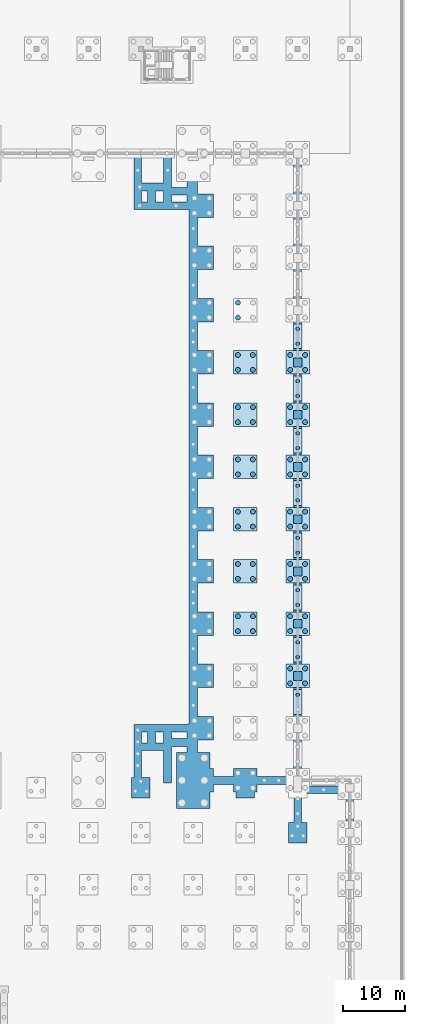
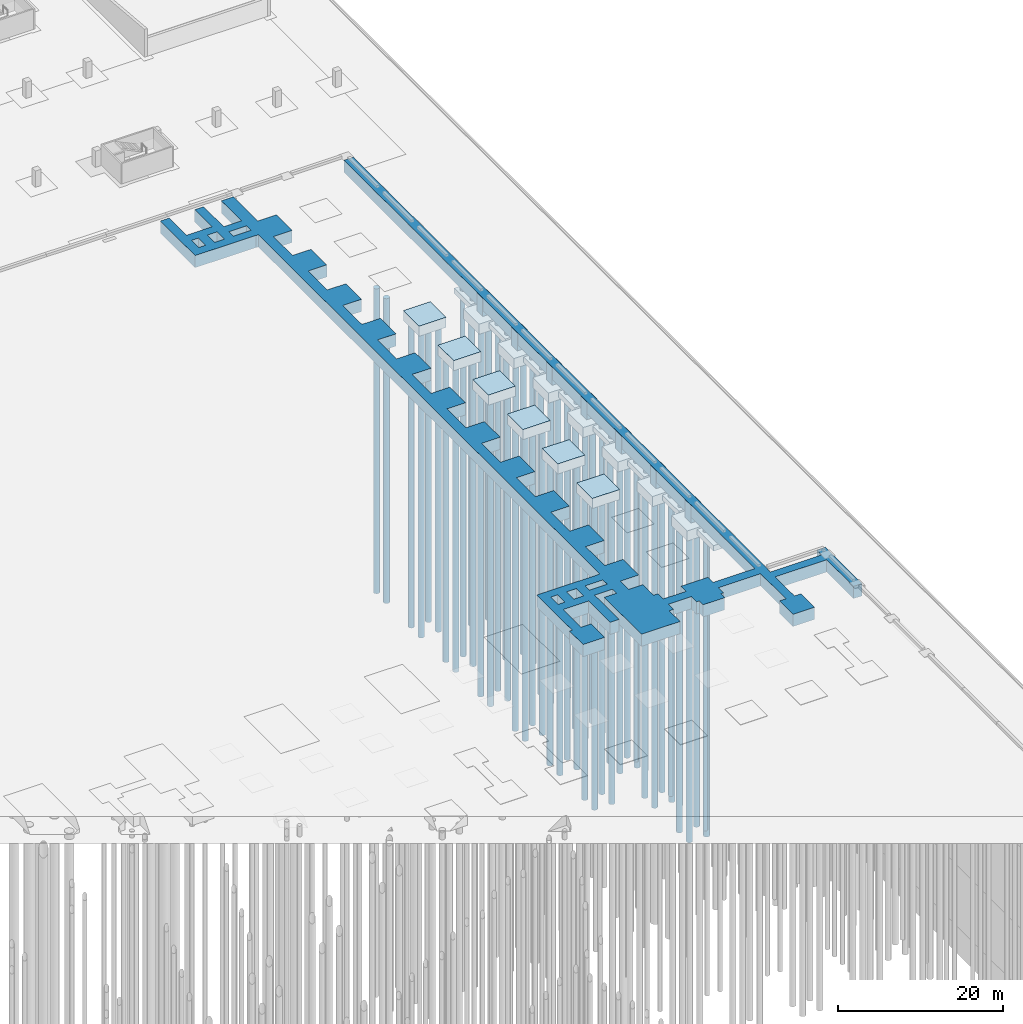
# One storey, part 20 of 67: 69 piles, 29 footings.
"""IFC4 building model written with IfcOpenShell, lengths in metres."""

from ifc_helpers import new_model, si_unit, direction, frame, origin, origin_2d, place, context, subcontext, project, spatial, polyline, circle, outline, extrude, material, material_profile, profile_set, type_object, element, save


model = new_model("IFC4")

# Units and contexts
model_context = context("Model", 3, precision=1e-05, world=origin(), true_north=direction((0.0, 1.0)))
body_context = subcontext(model_context, "Body", "Model", "MODEL_VIEW")
ifc_project = project(units=[si_unit("LENGTHUNIT", "METRE"), si_unit("AREAUNIT", "SQUARE_METRE"), si_unit("VOLUMEUNIT", "CUBIC_METRE"), si_unit("PLANEANGLEUNIT", "RADIAN"), si_unit("MASSUNIT", "GRAM", prefix="KILO")], contexts=[model_context])

# Site, building, storey
site_placement = place(None, origin())
site = spatial("IfcSite", under=ifc_project, at=site_placement, CompositionType="ELEMENT")
building_placement = place(site_placement, origin())
building = spatial("IfcBuilding", under=site, at=building_placement, Name="Rain Tree Exposition and Congress Centre", CompositionType="ELEMENT")
storey_placement = place(building_placement, frame((0.0, 0.0, -3.0)))
storey = spatial("IfcBuildingStorey", under=building, at=storey_placement, Name="B1", CompositionType="ELEMENT", Elevation=-3.0)

# Piles
ifc_material_1 = material(Name="Concrete C35/45", Category="concrete")
ifc_material_profile_1 = material_profile(ifc_material_1, circle(Radius=0.300048828125, at=origin_2d()), Name="D600")
ifc_profile_set_1 = profile_set([ifc_material_profile_1], Name="Concrete C35/45")
pile_type_1 = type_object("IfcPileType", Name="Bored pile D600", PredefinedType="BORED", material=ifc_profile_set_1)
for number, where, z_axis, x_axis, name in (
    (1, (260.39990234375, 114.583251953125, 0.92578125), (0.0, 0.0, -1.0), (1.0, 0.0, 0.0), "Bored pile 2109"),
    (2, (260.39990234375, 120.61669921875, 0.92578125), (0.0, 0.0, -1.0), (1.0, 0.0, 0.0), "Bored pile 2110"),
    (3, (260.39990234375, 122.9833984375, 0.92578125), (0.0, 0.0, -1.0), (1.0, 0.0, 0.0), "Bored pile 2111"),
    (4, (260.39990234375, 129.0166015625, 0.92578125), (0.0, 0.0, -1.0), (1.0, 0.0, 0.0), "Bored pile 2112"),
    (5, (260.39990234375, 131.38330078125, 0.92578125), (0.0, 0.0, -1.0), (1.0, 0.0, 0.0), "Bored pile 2113"),
    (6, (260.39990234375, 137.416748046875, 0.92578125), (0.0, 0.0, -1.0), (1.0, 0.0, 0.0), "Bored pile 2114"),
    (7, (260.39990234375, 139.783203125, 0.92578125), (0.0, 0.0, -1.0), (1.0, 0.0, 0.0), "Bored pile 2115"),
    (8, (260.39990234375, 145.816650390625, 0.92578125), (0.0, 0.0, -1.0), (1.0, 0.0, 0.0), "Bored pile 2116"),
    (9, (260.39990234375, 148.183349609375, 0.92578125), (0.0, 0.0, -1.0), (1.0, 0.0, 0.0), "Bored pile 2117"),
    (10, (260.39990234375, 154.216796875, 0.92578125), (0.0, 0.0, -1.0), (1.0, 0.0, 0.0), "Bored pile 2130"),
    (11, (260.39990234375, 156.583251953125, 0.92578125), (0.0, 0.0, -1.0), (1.0, 0.0, 0.0), "Bored pile 2131"),
    (12, (260.39990234375, 162.61669921875, 0.92578125), (0.0, 0.0, -1.0), (1.0, 0.0, 0.0), "Bored pile 2132"),
    (13, (260.39990234375, 164.9833984375, 0.92578125), (0.0, 0.0, -1.0), (1.0, 0.0, 0.0), "Bored pile 2133"),
    (14, (260.39990234375, 171.0166015625, 0.92578125), (0.0, 0.0, -1.0), (1.0, 0.0, 0.0), "Bored pile 2134"),
    (15, (260.39990234375, 173.38330078125, 0.92578125), (0.0, 0.0, -1.0), (1.0, 0.0, 0.0), "Bored pile 2135"),
):
    element("IfcPile", number, at=place(storey_placement, frame(where, z_axis=z_axis, x_axis=x_axis)), inside=storey, type_object=pile_type_1, Name=name, PredefinedType="BORED", context=body_context, shape_type="SweptSolid", body=[
        extrude(circle(Radius=0.300048828125, at=origin_2d()), origin(), (0.0, 0.0, 1.0), 45.074951171875),
    ])
ifc_material_2 = material(Name="Concrete C35/45", Category="concrete")
ifc_material_profile_2 = material_profile(ifc_material_2, circle(Radius=0.39990234375, at=origin_2d()), Name="D800")
ifc_profile_set_2 = profile_set([ifc_material_profile_2], Name="Concrete C35/45")
pile_type_2 = type_object("IfcPileType", Name="Bored pile D800", PredefinedType="BORED", material=ifc_profile_set_2)
for number, where, z_axis, x_axis, name in (
    (16, (259.199951171875, 116.39990234375, -1.425048828125), (0.0, 0.0, -1.0), (1.0, 0.0, 0.0), "Bored pile 1338"),
    (17, (261.60009765625, 116.39990234375, -1.425048828125), (0.0, 0.0, -1.0), (1.0, 0.0, 0.0), "Bored pile 1339"),
    (18, (259.199951171875, 118.800048828125, -1.425048828125), (0.0, 0.0, -1.0), (1.0, 0.0, 0.0), "Bored pile 1340"),
    (19, (261.60009765625, 118.800048828125, -1.425048828125), (0.0, 0.0, -1.0), (1.0, 0.0, 0.0), "Bored pile 1341"),
    (20, (259.199951171875, 124.800048828125, -1.425048828125), (0.0, 0.0, -1.0), (1.0, 0.0, 0.0), "Bored pile 1342"),
    (21, (261.60009765625, 124.800048828125, -1.425048828125), (0.0, 0.0, -1.0), (1.0, 0.0, 0.0), "Bored pile 1343"),
    (22, (259.199951171875, 127.199951171875, -1.425048828125), (0.0, 0.0, -1.0), (1.0, 0.0, 0.0), "Bored pile 1344"),
    (23, (261.60009765625, 127.199951171875, -1.425048828125), (0.0, 0.0, -1.0), (1.0, 0.0, 0.0), "Bored pile 1345"),
    (24, (259.199951171875, 133.199951171875, -1.425048828125), (0.0, 0.0, -1.0), (1.0, 0.0, 0.0), "Bored pile 1346"),
    (25, (261.60009765625, 133.199951171875, -1.425048828125), (0.0, 0.0, -1.0), (1.0, 0.0, 0.0), "Bored pile 1347"),
    (26, (259.199951171875, 135.60009765625, -1.425048828125), (0.0, 0.0, -1.0), (1.0, 0.0, 0.0), "Bored pile 1348"),
    (27, (261.60009765625, 135.60009765625, -1.425048828125), (0.0, 0.0, -1.0), (1.0, 0.0, 0.0), "Bored pile 1349"),
    (28, (259.199951171875, 141.60009765625, -1.425048828125), (0.0, 0.0, -1.0), (1.0, 0.0, 0.0), "Bored pile 1350"),
    (29, (261.60009765625, 141.60009765625, -1.425048828125), (0.0, 0.0, -1.0), (1.0, 0.0, 0.0), "Bored pile 1351"),
    (30, (259.199951171875, 144.0, -1.425048828125), (0.0, 0.0, -1.0), (1.0, 0.0, 0.0), "Bored pile 1352"),
    (31, (261.60009765625, 144.0, -1.425048828125), (0.0, 0.0, -1.0), (1.0, 0.0, 0.0), "Bored pile 1353"),
    (32, (259.199951171875, 150.0, -1.425048828125), (0.0, 0.0, -1.0), (1.0, 0.0, 0.0), "Bored pile 1354"),
    (33, (261.60009765625, 150.0, -1.425048828125), (0.0, 0.0, -1.0), (1.0, 0.0, 0.0), "Bored pile 1355"),
    (34, (259.199951171875, 152.39990234375, -1.425048828125), (0.0, 0.0, -1.0), (1.0, 0.0, 0.0), "Bored pile 1356"),
    (35, (261.60009765625, 152.39990234375, -1.425048828125), (0.0, 0.0, -1.0), (1.0, 0.0, 0.0), "Bored pile 1357"),
    (36, (259.199951171875, 158.39990234375, -1.425048828125), (0.0, 0.0, -1.0), (1.0, 0.0, 0.0), "Bored pile 1358"),
    (37, (261.60009765625, 158.39990234375, -1.425048828125), (0.0, 0.0, -1.0), (1.0, 0.0, 0.0), "Bored pile 1359"),
    (38, (259.199951171875, 160.800048828125, -1.425048828125), (0.0, 0.0, -1.0), (1.0, 0.0, 0.0), "Bored pile 1360"),
    (39, (261.60009765625, 160.800048828125, -1.425048828125), (0.0, 0.0, -1.0), (1.0, 0.0, 0.0), "Bored pile 1361"),
    (40, (259.199951171875, 166.800048828125, -1.425048828125), (0.0, 0.0, -1.0), (1.0, 0.0, 0.0), "Bored pile 1362"),
    (41, (261.60009765625, 166.800048828125, -1.425048828125), (0.0, 0.0, -1.0), (1.0, 0.0, 0.0), "Bored pile 1363"),
    (42, (259.199951171875, 169.199951171875, -1.425048828125), (0.0, 0.0, -1.0), (1.0, 0.0, 0.0), "Bored pile 1364"),
    (43, (261.60009765625, 169.199951171875, -1.425048828125), (0.0, 0.0, -1.0), (1.0, 0.0, 0.0), "Bored pile 1365"),
    (44, (250.800048828125, 124.800048828125, 1.22509765625), (0.0, 0.0, -1.0), (1.0, 0.0, 0.0), "Bored pile 1577"),
    (45, (253.199951171875, 124.800048828125, 1.22509765625), (0.0, 0.0, -1.0), (1.0, 0.0, 0.0), "Bored pile 1578"),
    (46, (250.800048828125, 127.199951171875, 1.22509765625), (0.0, 0.0, -1.0), (1.0, 0.0, 0.0), "Bored pile 1579"),
    (47, (253.199951171875, 127.199951171875, 1.22509765625), (0.0, 0.0, -1.0), (1.0, 0.0, 0.0), "Bored pile 1580"),
    (48, (250.800048828125, 133.199951171875, 1.22509765625), (0.0, 0.0, -1.0), (1.0, 0.0, 0.0), "Bored pile 1581"),
    (49, (253.199951171875, 133.199951171875, 1.22509765625), (0.0, 0.0, -1.0), (1.0, 0.0, 0.0), "Bored pile 1582"),
    (50, (250.800048828125, 135.60009765625, 1.22509765625), (0.0, 0.0, -1.0), (1.0, 0.0, 0.0), "Bored pile 1583"),
    (51, (253.199951171875, 135.60009765625, 1.22509765625), (0.0, 0.0, -1.0), (1.0, 0.0, 0.0), "Bored pile 1584"),
    (52, (250.800048828125, 141.60009765625, 1.22509765625), (0.0, 0.0, -1.0), (1.0, 0.0, 0.0), "Bored pile 1585"),
    (53, (253.199951171875, 141.60009765625, 1.22509765625), (0.0, 0.0, -1.0), (1.0, 0.0, 0.0), "Bored pile 1586"),
    (54, (250.800048828125, 144.0, 1.22509765625), (0.0, 0.0, -1.0), (1.0, 0.0, 0.0), "Bored pile 1587"),
    (55, (253.199951171875, 144.0, 1.22509765625), (0.0, 0.0, -1.0), (1.0, 0.0, 0.0), "Bored pile 1588"),
    (56, (250.800048828125, 150.0, 1.22509765625), (0.0, 0.0, -1.0), (1.0, 0.0, 0.0), "Bored pile 1589"),
    (57, (253.199951171875, 150.0, 1.22509765625), (0.0, 0.0, -1.0), (1.0, 0.0, 0.0), "Bored pile 1590"),
    (58, (250.800048828125, 152.39990234375, 1.22509765625), (0.0, 0.0, -1.0), (1.0, 0.0, 0.0), "Bored pile 1591"),
    (59, (253.199951171875, 152.39990234375, 1.22509765625), (0.0, 0.0, -1.0), (1.0, 0.0, 0.0), "Bored pile 1592"),
    (60, (250.800048828125, 158.39990234375, 1.22509765625), (0.0, 0.0, -1.0), (1.0, 0.0, 0.0), "Bored pile 1593"),
    (61, (253.199951171875, 158.39990234375, 1.22509765625), (0.0, 0.0, -1.0), (1.0, 0.0, 0.0), "Bored pile 1594"),
    (62, (250.800048828125, 160.800048828125, 1.22509765625), (0.0, 0.0, -1.0), (1.0, 0.0, 0.0), "Bored pile 1595"),
    (63, (253.199951171875, 160.800048828125, 1.22509765625), (0.0, 0.0, -1.0), (1.0, 0.0, 0.0), "Bored pile 1596"),
    (64, (250.800048828125, 166.800048828125, 1.22509765625), (0.0, 0.0, -1.0), (1.0, 0.0, 0.0), "Bored pile 1597"),
    (65, (253.199951171875, 166.800048828125, 1.22509765625), (0.0, 0.0, -1.0), (1.0, 0.0, 0.0), "Bored pile 1598"),
    (66, (250.800048828125, 169.199951171875, 1.22509765625), (0.0, 0.0, -1.0), (1.0, 0.0, 0.0), "Bored pile 1599"),
    (67, (253.199951171875, 169.199951171875, 1.22509765625), (0.0, 0.0, -1.0), (1.0, 0.0, 0.0), "Bored pile 1600"),
    (68, (250.800048828125, 175.199951171875, 1.22509765625), (0.0, 0.0, -1.0), (1.0, 0.0, 0.0), "Bored pile 1601"),
    (69, (250.800048828125, 177.60009765625, 1.22509765625), (0.0, 0.0, -1.0), (1.0, 0.0, 0.0), "Bored pile 1603"),
):
    element("IfcPile", number, at=place(storey_placement, frame(where, z_axis=z_axis, x_axis=x_axis)), inside=storey, type_object=pile_type_2, Name=name, PredefinedType="BORED", context=body_context, shape_type="SweptSolid", body=[
        extrude(circle(Radius=0.39990234375, at=origin_2d()), origin(), (0.0, 0.0, 1.0), 45.074951171875),
    ])

# Footings
ifc_material_3 = material(Name="Concrete C35/45", Category="concrete")
footing_type_1 = type_object("IfcFootingType", Name="Pier cap 2650 thick", PredefinedType="PILE_CAP", material=ifc_material_3)
footing_1_placement = place(storey_placement, origin())
element("IfcFooting", 70, at=footing_1_placement, inside=storey, type_object=footing_type_1, Name="Pier cap 005", PredefinedType="PILE_CAP", context=body_context, shape_type="SweptSolid", body=[
    extrude(outline(polyline([(259.699951171875, 118.300048828125), (259.699951171875, 116.89990234375), (261.10009765625, 116.89990234375), (261.10009765625, 118.300048828125), (259.699951171875, 118.300048828125)])), origin(), (0.0, 0.0, 1.0), 2.64990234375),
])
footing_2_placement = place(storey_placement, origin())
element("IfcFooting", 71, at=footing_2_placement, inside=storey, type_object=footing_type_1, Name="Pier cap 006", PredefinedType="PILE_CAP", context=body_context, shape_type="SweptSolid", body=[
    extrude(outline(polyline([(259.699951171875, 126.699951171875), (259.699951171875, 125.300048828125), (261.10009765625, 125.300048828125), (261.10009765625, 126.699951171875), (259.699951171875, 126.699951171875)])), origin(), (0.0, 0.0, 1.0), 2.64990234375),
])
footing_3_placement = place(storey_placement, origin())
element("IfcFooting", 72, at=footing_3_placement, inside=storey, type_object=footing_type_1, Name="Pier cap 007", PredefinedType="PILE_CAP", context=body_context, shape_type="SweptSolid", body=[
    extrude(outline(polyline([(259.699951171875, 135.10009765625), (259.699951171875, 133.699951171875), (261.10009765625, 133.699951171875), (261.10009765625, 135.10009765625), (259.699951171875, 135.10009765625)])), origin(), (0.0, 0.0, 1.0), 2.64990234375),
])
footing_4_placement = place(storey_placement, origin())
element("IfcFooting", 73, at=footing_4_placement, inside=storey, type_object=footing_type_1, Name="Pier cap 008", PredefinedType="PILE_CAP", context=body_context, shape_type="SweptSolid", body=[
    extrude(outline(polyline([(259.699951171875, 143.5), (259.699951171875, 142.10009765625), (261.10009765625, 142.10009765625), (261.10009765625, 143.5), (259.699951171875, 143.5)])), origin(), (0.0, 0.0, 1.0), 2.64990234375),
])
footing_5_placement = place(storey_placement, origin())
element("IfcFooting", 74, at=footing_5_placement, inside=storey, type_object=footing_type_1, Name="Pier cap 009", PredefinedType="PILE_CAP", context=body_context, shape_type="SweptSolid", body=[
    extrude(outline(polyline([(259.699951171875, 151.89990234375), (259.699951171875, 150.5), (261.10009765625, 150.5), (261.10009765625, 151.89990234375), (259.699951171875, 151.89990234375)])), origin(), (0.0, 0.0, 1.0), 2.64990234375),
])
footing_6_placement = place(storey_placement, origin())
element("IfcFooting", 75, at=footing_6_placement, inside=storey, type_object=footing_type_1, Name="Pier cap 010", PredefinedType="PILE_CAP", context=body_context, shape_type="SweptSolid", body=[
    extrude(outline(polyline([(259.699951171875, 160.300048828125), (259.699951171875, 158.89990234375), (261.10009765625, 158.89990234375), (261.10009765625, 160.300048828125), (259.699951171875, 160.300048828125)])), origin(), (0.0, 0.0, 1.0), 2.64990234375),
])
footing_7_placement = place(storey_placement, origin())
element("IfcFooting", 76, at=footing_7_placement, inside=storey, type_object=footing_type_1, Name="Pier cap 011", PredefinedType="PILE_CAP", context=body_context, shape_type="SweptSolid", body=[
    extrude(outline(polyline([(259.699951171875, 168.699951171875), (259.699951171875, 167.300048828125), (261.10009765625, 167.300048828125), (261.10009765625, 168.699951171875), (259.699951171875, 168.699951171875)])), origin(), (0.0, 0.0, 1.0), 2.64990234375),
])
ifc_material_4 = material(Name="Concrete C35/45", Category="concrete")
footing_type_2 = type_object("IfcFootingType", Name="Pile cap 1500 thick", PredefinedType="PILE_CAP", material=ifc_material_4)
footing_8_placement = place(storey_placement, frame((0.0, 0.0, -1.5)))
element("IfcFooting", 77, at=footing_8_placement, inside=storey, type_object=footing_type_2, Name="Pile cap 264", PredefinedType="PILE_CAP", context=body_context, shape_type="SweptSolid", body=[
    extrude(outline(polyline([(262.300048828125, 115.699951171875), (262.300048828125, 119.5), (258.5, 119.5), (258.5, 115.699951171875), (262.300048828125, 115.699951171875)])), origin(), (0.0, 0.0, 1.0), 1.5),
])
footing_9_placement = place(storey_placement, frame((0.0, 0.0, -1.5)))
element("IfcFooting", 78, at=footing_9_placement, inside=storey, type_object=footing_type_2, Name="Pile cap 265", PredefinedType="PILE_CAP", context=body_context, shape_type="SweptSolid", body=[
    extrude(outline(polyline([(262.300048828125, 124.10009765625), (262.300048828125, 127.89990234375), (258.5, 127.89990234375), (258.5, 124.10009765625), (262.300048828125, 124.10009765625)])), origin(), (0.0, 0.0, 1.0), 1.5),
])
footing_10_placement = place(storey_placement, frame((0.0, 0.0, -1.5)))
element("IfcFooting", 79, at=footing_10_placement, inside=storey, type_object=footing_type_2, Name="Pile cap 266", PredefinedType="PILE_CAP", context=body_context, shape_type="SweptSolid", body=[
    extrude(outline(polyline([(262.300048828125, 132.5), (262.300048828125, 136.300048828125), (258.5, 136.300048828125), (258.5, 132.5), (262.300048828125, 132.5)])), origin(), (0.0, 0.0, 1.0), 1.5),
])
footing_11_placement = place(storey_placement, frame((0.0, 0.0, -1.5)))
element("IfcFooting", 80, at=footing_11_placement, inside=storey, type_object=footing_type_2, Name="Pile cap 267", PredefinedType="PILE_CAP", context=body_context, shape_type="SweptSolid", body=[
    extrude(outline(polyline([(262.300048828125, 140.89990234375), (262.300048828125, 144.699951171875), (258.5, 144.699951171875), (258.5, 140.89990234375), (262.300048828125, 140.89990234375)])), origin(), (0.0, 0.0, 1.0), 1.5),
])
footing_12_placement = place(storey_placement, frame((0.0, 0.0, -1.5)))
element("IfcFooting", 81, at=footing_12_placement, inside=storey, type_object=footing_type_2, Name="Pile cap 268", PredefinedType="PILE_CAP", context=body_context, shape_type="SweptSolid", body=[
    extrude(outline(polyline([(262.300048828125, 149.300048828125), (262.300048828125, 153.10009765625), (258.5, 153.10009765625), (258.5, 149.300048828125), (262.300048828125, 149.300048828125)])), origin(), (0.0, 0.0, 1.0), 1.5),
])
footing_13_placement = place(storey_placement, frame((0.0, 0.0, -1.5)))
element("IfcFooting", 82, at=footing_13_placement, inside=storey, type_object=footing_type_2, Name="Pile cap 269", PredefinedType="PILE_CAP", context=body_context, shape_type="SweptSolid", body=[
    extrude(outline(polyline([(262.300048828125, 157.699951171875), (262.300048828125, 161.5), (258.5, 161.5), (258.5, 157.699951171875), (262.300048828125, 157.699951171875)])), origin(), (0.0, 0.0, 1.0), 1.5),
])
footing_14_placement = place(storey_placement, frame((0.0, 0.0, -1.5)))
element("IfcFooting", 83, at=footing_14_placement, inside=storey, type_object=footing_type_2, Name="Pile cap 270", PredefinedType="PILE_CAP", context=body_context, shape_type="SweptSolid", body=[
    extrude(outline(polyline([(262.300048828125, 166.10009765625), (262.300048828125, 169.89990234375), (258.5, 169.89990234375), (258.5, 166.10009765625), (262.300048828125, 166.10009765625)])), origin(), (0.0, 0.0, 1.0), 1.5),
])
footing_15_placement = place(storey_placement, frame((0.0, 0.0, 1.14990234375)))
element("IfcFooting", 84, at=footing_15_placement, inside=storey, type_object=footing_type_2, Name="Pile cap 300", PredefinedType="PILE_CAP", context=body_context, shape_type="SweptSolid", body=[
    extrude(outline(polyline([(253.89990234375, 124.10009765625), (253.89990234375, 127.89990234375), (250.10009765625, 127.89990234375), (250.10009765625, 124.10009765625), (253.89990234375, 124.10009765625)])), origin(), (0.0, 0.0, 1.0), 1.5),
])
footing_16_placement = place(storey_placement, frame((0.0, 0.0, 1.14990234375)))
element("IfcFooting", 85, at=footing_16_placement, inside=storey, type_object=footing_type_2, Name="Pile cap 301", PredefinedType="PILE_CAP", context=body_context, shape_type="SweptSolid", body=[
    extrude(outline(polyline([(253.89990234375, 132.5), (253.89990234375, 136.300048828125), (250.10009765625, 136.300048828125), (250.10009765625, 132.5), (253.89990234375, 132.5)])), origin(), (0.0, 0.0, 1.0), 1.5),
])
footing_17_placement = place(storey_placement, frame((0.0, 0.0, 1.14990234375)))
element("IfcFooting", 86, at=footing_17_placement, inside=storey, type_object=footing_type_2, Name="Pile cap 302", PredefinedType="PILE_CAP", context=body_context, shape_type="SweptSolid", body=[
    extrude(outline(polyline([(253.89990234375, 140.89990234375), (253.89990234375, 144.699951171875), (250.10009765625, 144.699951171875), (250.10009765625, 140.89990234375), (253.89990234375, 140.89990234375)])), origin(), (0.0, 0.0, 1.0), 1.5),
])
footing_18_placement = place(storey_placement, frame((0.0, 0.0, 1.14990234375)))
element("IfcFooting", 87, at=footing_18_placement, inside=storey, type_object=footing_type_2, Name="Pile cap 303", PredefinedType="PILE_CAP", context=body_context, shape_type="SweptSolid", body=[
    extrude(outline(polyline([(253.89990234375, 149.300048828125), (253.89990234375, 153.10009765625), (250.10009765625, 153.10009765625), (250.10009765625, 149.300048828125), (253.89990234375, 149.300048828125)])), origin(), (0.0, 0.0, 1.0), 1.5),
])
footing_19_placement = place(storey_placement, frame((0.0, 0.0, 1.14990234375)))
element("IfcFooting", 88, at=footing_19_placement, inside=storey, type_object=footing_type_2, Name="Pile cap 304", PredefinedType="PILE_CAP", context=body_context, shape_type="SweptSolid", body=[
    extrude(outline(polyline([(253.89990234375, 157.699951171875), (253.89990234375, 161.5), (250.10009765625, 161.5), (250.10009765625, 157.699951171875), (253.89990234375, 157.699951171875)])), origin(), (0.0, 0.0, 1.0), 1.5),
])
footing_20_placement = place(storey_placement, frame((0.0, 0.0, 1.14990234375)))
element("IfcFooting", 89, at=footing_20_placement, inside=storey, type_object=footing_type_2, Name="Pile cap 305", PredefinedType="PILE_CAP", context=body_context, shape_type="SweptSolid", body=[
    extrude(outline(polyline([(253.89990234375, 166.10009765625), (253.89990234375, 169.89990234375), (250.10009765625, 169.89990234375), (250.10009765625, 166.10009765625), (253.89990234375, 166.10009765625)])), origin(), (0.0, 0.0, 1.0), 1.5),
])
ifc_material_5 = material(Name="Concrete C35/45", Category="concrete")
footing_type_3 = type_object("IfcFootingType", Name="Strip footing 1800 thick", PredefinedType="STRIP_FOOTING", material=ifc_material_5)
footing_21_placement = place(storey_placement, frame((0.0, 0.0, 0.8505859375)))
element("IfcFooting", 90, at=footing_21_placement, inside=storey, type_object=footing_type_3, Name="Strip footing 089", PredefinedType="STRIP_FOOTING", context=body_context, shape_type="SweptSolid", body=[
    extrude(outline(polyline([(234.074951171875, 106.824951171875), (234.074951171875, 105.574951171875), (234.074951171875, 101.2392578125), (233.699951171875, 101.2392578125), (233.699951171875, 97.960693359375), (236.699951171875, 97.960693359375), (236.699951171875, 101.2392578125), (235.324951171875, 101.2392578125), (235.324951171875, 105.574951171875), (236.27490234375, 105.574951171875), (237.52490234375, 105.574951171875), (238.875, 105.574951171875), (238.875, 100.375), (240.125, 100.375), (240.125, 101.0), (240.125, 105.574951171875), (240.125, 106.27490234375), (242.60009765625, 106.27490234375), (242.60009765625, 105.300048828125), (240.89990234375, 105.300048828125), (240.89990234375, 96.300048828125), (246.300048828125, 96.300048828125), (246.300048828125, 98.89990234375), (246.89990234375, 98.89990234375), (246.89990234375, 100.14990234375), (250.10009765625, 100.14990234375), (250.10009765625, 98.89990234375), (250.5, 98.89990234375), (250.5, 97.960693359375), (253.5, 97.960693359375), (253.5, 98.89990234375), (253.89990234375, 98.89990234375), (253.89990234375, 100.14990234375), (259.800048828125, 100.14990234375), (259.800048828125, 94.039306640625), (258.89990234375, 94.039306640625), (258.89990234375, 90.7607421875), (261.89990234375, 90.7607421875), (261.89990234375, 94.039306640625), (261.0, 94.039306640625), (261.0, 98.699951171875), (268.199951171875, 98.699951171875), (268.199951171875, 92.199951171875), (269.39990234375, 92.199951171875), (269.39990234375, 92.800048828125), (269.39990234375, 101.10009765625), (268.199951171875, 101.10009765625), (268.199951171875, 100.5), (268.199951171875, 99.89990234375), (261.0, 99.89990234375), (261.0, 100.5), (261.050048828125, 100.5), (261.050048828125, 101.14990234375), (261.050048828125, 108.89990234375), (261.050048828125, 109.5), (261.050048828125, 109.550048828125), (261.050048828125, 117.300048828125), (261.050048828125, 117.89990234375), (261.050048828125, 117.949951171875), (261.050048828125, 125.699951171875), (261.050048828125, 126.300048828125), (261.050048828125, 126.35009765625), (261.050048828125, 134.10009765625), (261.050048828125, 134.699951171875), (261.050048828125, 134.75), (261.050048828125, 142.5), (261.050048828125, 143.10009765625), (261.050048828125, 143.14990234375), (261.050048828125, 150.89990234375), (261.050048828125, 151.5), (261.050048828125, 151.550048828125), (261.050048828125, 159.300048828125), (261.050048828125, 159.89990234375), (261.050048828125, 159.949951171875), (261.050048828125, 167.699951171875), (261.050048828125, 168.300048828125), (261.050048828125, 168.35009765625), (261.050048828125, 176.10009765625), (261.050048828125, 176.699951171875), (261.050048828125, 176.75), (261.050048828125, 184.5), (261.050048828125, 185.10009765625), (261.050048828125, 185.14990234375), (261.050048828125, 192.89990234375), (261.050048828125, 193.5), (261.050048828125, 193.550048828125), (261.050048828125, 201.0), (259.75, 201.0), (259.75, 193.5), (259.75, 192.89990234375), (259.75, 192.85009765625), (259.75, 185.10009765625), (259.75, 184.5), (259.75, 184.449951171875), (259.75, 176.699951171875), (259.75, 176.10009765625), (259.75, 176.050048828125), (259.75, 168.300048828125), (259.75, 167.699951171875), (259.75, 167.64990234375), (259.75, 159.89990234375), (259.75, 159.300048828125), (259.75, 159.25), (259.75, 151.5), (259.75, 150.89990234375), (259.75, 150.85009765625), (259.75, 143.10009765625), (259.75, 142.5), (259.75, 142.449951171875), (259.75, 134.699951171875), (259.75, 134.10009765625), (259.75, 134.050048828125), (259.75, 126.300048828125), (259.75, 125.699951171875), (259.75, 125.64990234375), (259.75, 117.89990234375), (259.75, 117.300048828125), (259.75, 117.25), (259.75, 109.5), (259.75, 108.89990234375), (259.75, 108.85009765625), (259.75, 101.449951171875), (253.89990234375, 101.449951171875), (253.89990234375, 102.699951171875), (250.10009765625, 102.699951171875), (250.10009765625, 101.449951171875), (246.89990234375, 101.449951171875), (246.89990234375, 102.699951171875), (246.300048828125, 102.699951171875), (246.300048828125, 105.300048828125), (244.300048828125, 105.300048828125), (244.300048828125, 107.300048828125), (246.89990234375, 107.300048828125), (246.89990234375, 111.10009765625), (244.300048828125, 111.10009765625), (244.300048828125, 115.699951171875), (246.89990234375, 115.699951171875), (246.89990234375, 119.5), (244.300048828125, 119.5), (244.300048828125, 124.10009765625), (246.89990234375, 124.10009765625), (246.89990234375, 127.89990234375), (244.300048828125, 127.89990234375), (244.300048828125, 132.5), (246.89990234375, 132.5), (246.89990234375, 136.300048828125), (244.300048828125, 136.300048828125), (244.300048828125, 140.89990234375), (246.89990234375, 140.89990234375), (246.89990234375, 144.699951171875), (244.300048828125, 144.699951171875), (244.300048828125, 149.300048828125), (246.89990234375, 149.300048828125), (246.89990234375, 153.10009765625), (244.300048828125, 153.10009765625), (244.300048828125, 157.699951171875), (246.89990234375, 157.699951171875), (246.89990234375, 161.5), (244.300048828125, 161.5), (244.300048828125, 166.10009765625), (246.89990234375, 166.10009765625), (246.89990234375, 169.89990234375), (244.300048828125, 169.89990234375), (244.300048828125, 174.5), (246.89990234375, 174.5), (246.89990234375, 178.300048828125), (244.300048828125, 178.300048828125), (244.300048828125, 182.89990234375), (246.89990234375, 182.89990234375), (246.89990234375, 186.699951171875), (244.300048828125, 186.699951171875), (244.300048828125, 191.300048828125), (246.89990234375, 191.300048828125), (246.89990234375, 195.10009765625), (244.300048828125, 195.10009765625), (244.300048828125, 201.0), (243.89990234375, 201.0), (242.89990234375, 201.0), (242.60009765625, 201.0), (242.60009765625, 200.800048828125), (242.60009765625, 196.125), (240.125, 196.125), (240.125, 196.824951171875), (240.125, 201.0), (238.875, 201.0), (238.875, 196.824951171875), (237.52490234375, 196.824951171875), (236.27490234375, 196.824951171875), (235.324951171875, 196.824951171875), (235.324951171875, 201.0), (234.074951171875, 201.0), (234.074951171875, 196.824951171875), (234.074951171875, 195.574951171875), (234.074951171875, 193.824951171875), (234.074951171875, 192.574951171875), (234.699951171875, 192.574951171875), (235.324951171875, 192.574951171875), (236.27490234375, 192.574951171875), (237.52490234375, 192.574951171875), (238.875, 192.574951171875), (240.125, 192.574951171875), (242.60009765625, 192.574951171875), (242.60009765625, 192.550048828125), (242.89990234375, 192.550048828125), (242.89990234375, 109.85009765625), (242.60009765625, 109.85009765625), (242.60009765625, 109.824951171875), (240.125, 109.824951171875), (238.875, 109.824951171875), (237.52490234375, 109.824951171875), (236.27490234375, 109.824951171875), (235.324951171875, 109.824951171875), (234.074951171875, 109.824951171875), (234.074951171875, 109.199951171875), (234.074951171875, 108.574951171875), (234.074951171875, 106.824951171875)]), holes=[polyline([(236.27490234375, 108.574951171875), (235.324951171875, 108.574951171875), (235.324951171875, 106.824951171875), (236.27490234375, 106.824951171875), (236.27490234375, 108.574951171875)]), polyline([(240.125, 107.52490234375), (242.60009765625, 107.52490234375), (242.60009765625, 108.574951171875), (240.125, 108.574951171875), (240.125, 107.52490234375)]), polyline([(237.52490234375, 106.824951171875), (238.875, 106.824951171875), (238.875, 108.574951171875), (237.52490234375, 108.574951171875), (237.52490234375, 106.824951171875)]), polyline([(238.875, 193.824951171875), (238.875, 195.574951171875), (237.52490234375, 195.574951171875), (237.52490234375, 193.824951171875), (238.875, 193.824951171875)]), polyline([(242.60009765625, 194.875), (240.125, 194.875), (240.125, 193.824951171875), (242.60009765625, 193.824951171875), (242.60009765625, 194.875)]), polyline([(236.27490234375, 195.574951171875), (235.324951171875, 195.574951171875), (235.324951171875, 193.824951171875), (236.27490234375, 193.824951171875), (236.27490234375, 195.574951171875)])]), origin(), (0.0, 0.0, 1.0), 1.800048828125),
])
ifc_material_6 = material(Name="Concrete C35/45", Category="concrete")
footing_type_4 = type_object("IfcFootingType", Name="Strip footing 800 thick", PredefinedType="STRIP_FOOTING", material=ifc_material_6)
footing_22_placement = place(storey_placement, frame((0.0, 0.0, -0.800048828125)))
element("IfcFooting", 91, at=footing_22_placement, inside=storey, type_object=footing_type_4, Name="Strip footing 183", PredefinedType="STRIP_FOOTING", context=body_context, shape_type="SweptSolid", body=[
    extrude(outline(polyline([(261.10009765625, 174.199951171875), (259.699951171875, 174.199951171875), (259.699951171875, 170.199951171875), (261.10009765625, 170.199951171875), (261.10009765625, 174.199951171875)])), origin(), (0.0, 0.0, 1.0), 0.800048828125),
])
footing_23_placement = place(storey_placement, frame((0.0, 0.0, -0.800048828125)))
element("IfcFooting", 92, at=footing_23_placement, inside=storey, type_object=footing_type_4, Name="Strip footing 184", PredefinedType="STRIP_FOOTING", context=body_context, shape_type="SweptSolid", body=[
    extrude(outline(polyline([(261.10009765625, 165.800048828125), (259.699951171875, 165.800048828125), (259.699951171875, 161.800048828125), (261.10009765625, 161.800048828125), (261.10009765625, 165.800048828125)])), origin(), (0.0, 0.0, 1.0), 0.800048828125),
])
footing_24_placement = place(storey_placement, frame((0.0, 0.0, -0.800048828125)))
element("IfcFooting", 93, at=footing_24_placement, inside=storey, type_object=footing_type_4, Name="Strip footing 185", PredefinedType="STRIP_FOOTING", context=body_context, shape_type="SweptSolid", body=[
    extrude(outline(polyline([(261.10009765625, 157.39990234375), (259.699951171875, 157.39990234375), (259.699951171875, 153.39990234375), (261.10009765625, 153.39990234375), (261.10009765625, 157.39990234375)])), origin(), (0.0, 0.0, 1.0), 0.800048828125),
])
footing_25_placement = place(storey_placement, frame((0.0, 0.0, -0.800048828125)))
element("IfcFooting", 94, at=footing_25_placement, inside=storey, type_object=footing_type_4, Name="Strip footing 186", PredefinedType="STRIP_FOOTING", context=body_context, shape_type="SweptSolid", body=[
    extrude(outline(polyline([(261.10009765625, 149.0), (259.699951171875, 149.0), (259.699951171875, 145.0), (261.10009765625, 145.0), (261.10009765625, 149.0)])), origin(), (0.0, 0.0, 1.0), 0.800048828125),
])
footing_26_placement = place(storey_placement, frame((0.0, 0.0, -0.800048828125)))
element("IfcFooting", 95, at=footing_26_placement, inside=storey, type_object=footing_type_4, Name="Strip footing 187", PredefinedType="STRIP_FOOTING", context=body_context, shape_type="SweptSolid", body=[
    extrude(outline(polyline([(261.10009765625, 140.60009765625), (259.699951171875, 140.60009765625), (259.699951171875, 136.60009765625), (261.10009765625, 136.60009765625), (261.10009765625, 140.60009765625)])), origin(), (0.0, 0.0, 1.0), 0.800048828125),
])
footing_27_placement = place(storey_placement, frame((0.0, 0.0, -0.800048828125)))
element("IfcFooting", 96, at=footing_27_placement, inside=storey, type_object=footing_type_4, Name="Strip footing 188", PredefinedType="STRIP_FOOTING", context=body_context, shape_type="SweptSolid", body=[
    extrude(outline(polyline([(261.10009765625, 132.199951171875), (259.699951171875, 132.199951171875), (259.699951171875, 128.199951171875), (261.10009765625, 128.199951171875), (261.10009765625, 132.199951171875)])), origin(), (0.0, 0.0, 1.0), 0.800048828125),
])
footing_28_placement = place(storey_placement, frame((0.0, 0.0, -0.800048828125)))
element("IfcFooting", 97, at=footing_28_placement, inside=storey, type_object=footing_type_4, Name="Strip footing 189", PredefinedType="STRIP_FOOTING", context=body_context, shape_type="SweptSolid", body=[
    extrude(outline(polyline([(261.10009765625, 123.800048828125), (259.699951171875, 123.800048828125), (259.699951171875, 119.800048828125), (261.10009765625, 119.800048828125), (261.10009765625, 123.800048828125)])), origin(), (0.0, 0.0, 1.0), 0.800048828125),
])
footing_29_placement = place(storey_placement, frame((0.0, 0.0, -0.800048828125)))
element("IfcFooting", 98, at=footing_29_placement, inside=storey, type_object=footing_type_4, Name="Strip footing 190", PredefinedType="STRIP_FOOTING", context=body_context, shape_type="SweptSolid", body=[
    extrude(outline(polyline([(261.10009765625, 115.39990234375), (259.699951171875, 115.39990234375), (259.699951171875, 111.39990234375), (261.10009765625, 111.39990234375), (261.10009765625, 115.39990234375)])), origin(), (0.0, 0.0, 1.0), 0.800048828125),
])

save(model, "model.ifc")
